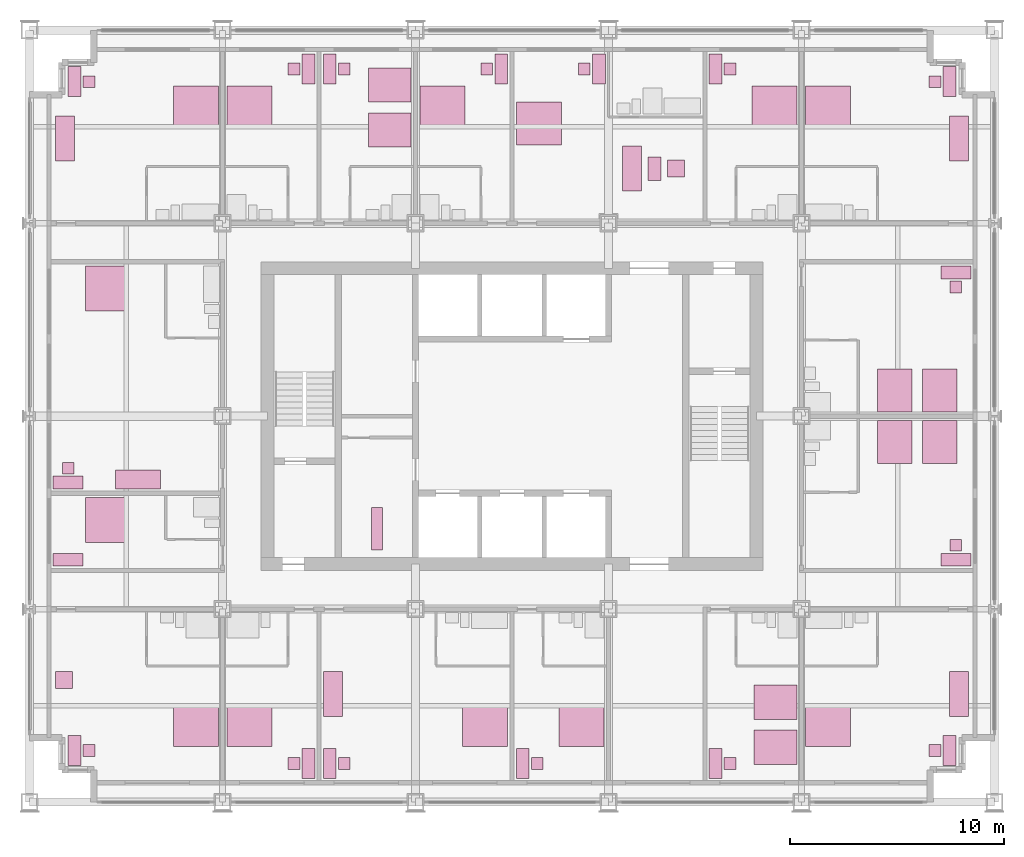
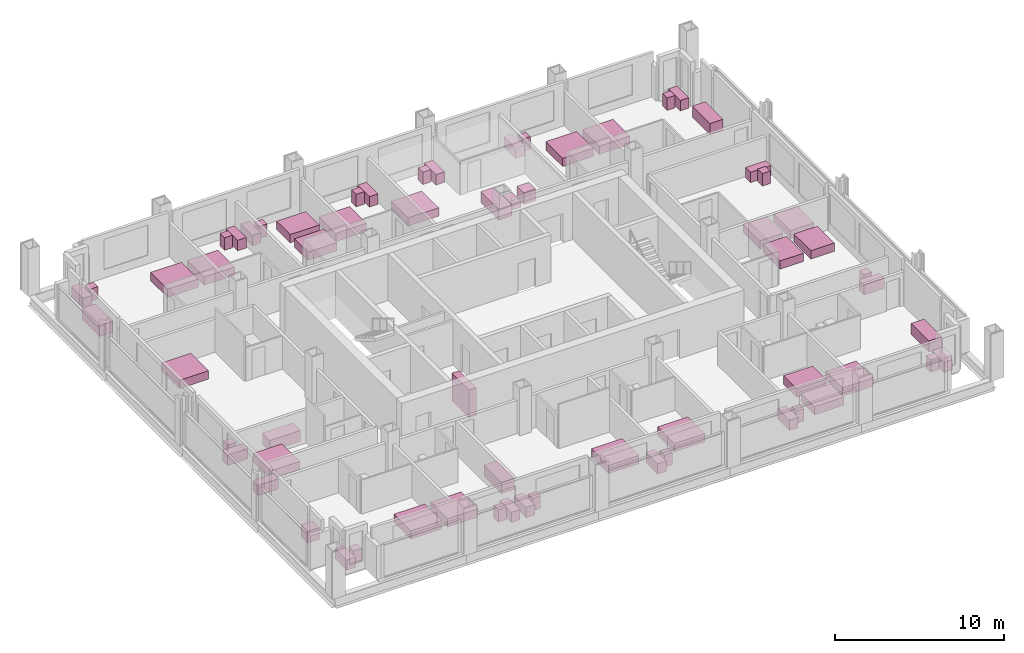
# One storey, part 16 of 16: 64 furniture elements.
"""IFC4 building model written with IfcOpenShell, lengths in metres."""

from ifc_helpers import new_model, si_unit, direction, frame, origin, origin_2d, place, context, subcontext, project, spatial, rectangle, extrude, element, save


model = new_model("IFC4")

# Units and contexts
model_context = context("Model", 3, precision=1e-05, world=origin(), true_north=direction((0.0, 1.0)))
body_context = subcontext(model_context, "Body", "Model", "MODEL_VIEW")
ifc_project = project(units=[si_unit("LENGTHUNIT", "METRE"), si_unit("AREAUNIT", "SQUARE_METRE"), si_unit("VOLUMEUNIT", "CUBIC_METRE"), si_unit("PLANEANGLEUNIT", "RADIAN"), si_unit("MASSUNIT", "GRAM", prefix="KILO")], contexts=[model_context])

# Site, building, storey
site_placement = place(None, origin())
site = spatial("IfcSite", under=ifc_project, at=site_placement, CompositionType="ELEMENT")
building_placement = place(site_placement, origin())
building = spatial("IfcBuilding", under=site, at=building_placement, Name="Loomwork Tower", CompositionType="ELEMENT")
storey_placement = place(building_placement, frame((0.0, 0.0, 104.39990234375)))
storey = spatial("IfcBuildingStorey", under=building, at=storey_placement, Name="L27", CompositionType="ELEMENT", Elevation=104.39990234375)

# Furniture
furniture_1_placement = place(storey_placement, frame((7.75, 3.60009765625, 0.0), z_axis=(0.0, 0.0, 1.0), x_axis=(1.0, 0.0, 0.0)))
element("IfcFurniture", 1, at=furniture_1_placement, inside=storey, Name="King bed L27", PredefinedType="BED", context=body_context, shape_type="SweptSolid", body=[
    extrude(rectangle(XDim=2.10009765625, YDim=2.0, at=origin_2d()), origin(), (0.0, 0.0, 1.0), 0.60009765625),
])
furniture_2_placement = place(storey_placement, frame((2.10009765625, 2.39990234375, 0.0), z_axis=(0.0, 0.0, 1.0), x_axis=(1.0, 0.0, 0.0)))
element("IfcFurniture", 2, at=furniture_2_placement, inside=storey, Name="Writing desk L27", PredefinedType="DESK", context=body_context, shape_type="SweptSolid", body=[
    extrude(rectangle(XDim=0.60009765625, YDim=1.39990234375, at=origin_2d()), origin(), (0.0, 0.0, 1.0), 0.75),
])
furniture_3_placement = place(storey_placement, frame((2.77490234375, 2.39990234375, 0.000244140625), z_axis=(0.0, 0.0, 1.0), x_axis=(1.0, 0.0, 0.0)))
element("IfcFurniture", 3, at=furniture_3_placement, inside=storey, Name="Desk chair L27", PredefinedType="CHAIR", context=body_context, shape_type="SweptSolid", body=[
    extrude(rectangle(XDim=0.550048828125, YDim=0.550048828125, at=origin_2d()), origin(), (0.0, 0.0, 1.0), 0.89990234375),
])
furniture_4_placement = place(storey_placement, frame((1.60009765625, 5.699951171875, 0.0), z_axis=(0.0, 0.0, 1.0), x_axis=(1.0, 0.0, 0.0)))
element("IfcFurniture", 4, at=furniture_4_placement, inside=storey, Name="Lounge armchair L27", PredefinedType="CHAIR", context=body_context, shape_type="SweptSolid", body=[
    extrude(rectangle(XDim=0.800048828125, YDim=0.800048828125, at=origin_2d()), origin(), (0.0, 0.0, 1.0), 0.85009765625),
])
furniture_5_placement = place(storey_placement, frame((10.25, 3.60009765625, 0.0), z_axis=(0.0, 0.0, 1.0), x_axis=(1.0, 0.0, 0.0)))
element("IfcFurniture", 5, at=furniture_5_placement, inside=storey, Name="King bed L27", PredefinedType="BED", context=body_context, shape_type="SweptSolid", body=[
    extrude(rectangle(XDim=2.10009765625, YDim=2.0, at=origin_2d()), origin(), (0.0, 0.0, 1.0), 0.60009765625),
])
furniture_6_placement = place(storey_placement, frame((13.0, 1.800048828125, 0.0), z_axis=(0.0, 0.0, 1.0), x_axis=(1.0, 0.0, 0.0)))
element("IfcFurniture", 6, at=furniture_6_placement, inside=storey, Name="Writing desk L27", PredefinedType="DESK", context=body_context, shape_type="SweptSolid", body=[
    extrude(rectangle(XDim=0.60009765625, YDim=1.39990234375, at=origin_2d()), origin(), (0.0, 0.0, 1.0), 0.75),
])
furniture_7_placement = place(storey_placement, frame((12.324951171875, 1.800048828125, 0.000244140625), z_axis=(0.0, 0.0, 1.0), x_axis=(1.0, 0.0, 0.0)))
element("IfcFurniture", 7, at=furniture_7_placement, inside=storey, Name="Desk chair L27", PredefinedType="CHAIR", context=body_context, shape_type="SweptSolid", body=[
    extrude(rectangle(XDim=0.550048828125, YDim=0.550048828125, at=origin_2d()), origin(), (0.0, 0.0, 1.0), 0.89990234375),
])
furniture_8_placement = place(storey_placement, frame((21.25, 3.60009765625, 0.0), z_axis=(0.0, 0.0, 1.0), x_axis=(1.0, 0.0, 0.0)))
element("IfcFurniture", 8, at=furniture_8_placement, inside=storey, Name="King bed L27", PredefinedType="BED", context=body_context, shape_type="SweptSolid", body=[
    extrude(rectangle(XDim=2.10009765625, YDim=2.0, at=origin_2d()), origin(), (0.0, 0.0, 1.0), 0.60009765625),
])
furniture_9_placement = place(storey_placement, frame((14.0, 1.800048828125, 0.0), z_axis=(0.0, 0.0, 1.0), x_axis=(1.0, 0.0, 0.0)))
element("IfcFurniture", 9, at=furniture_9_placement, inside=storey, Name="Writing desk L27", PredefinedType="DESK", context=body_context, shape_type="SweptSolid", body=[
    extrude(rectangle(XDim=0.60009765625, YDim=1.39990234375, at=origin_2d()), origin(), (0.0, 0.0, 1.0), 0.75),
])
furniture_10_placement = place(storey_placement, frame((14.675048828125, 1.800048828125, 0.000244140625), z_axis=(0.0, 0.0, 1.0), x_axis=(1.0, 0.0, 0.0)))
element("IfcFurniture", 10, at=furniture_10_placement, inside=storey, Name="Desk chair L27", PredefinedType="CHAIR", context=body_context, shape_type="SweptSolid", body=[
    extrude(rectangle(XDim=0.550048828125, YDim=0.550048828125, at=origin_2d()), origin(), (0.0, 0.0, 1.0), 0.89990234375),
])
furniture_11_placement = place(storey_placement, frame((14.14990234375, 5.050048828125, 0.0), z_axis=(0.0, 0.0, 1.0), x_axis=(1.0, 0.0, 0.0)))
element("IfcFurniture", 11, at=furniture_11_placement, inside=storey, Name="Sofa L27", PredefinedType="SOFA", context=body_context, shape_type="SweptSolid", body=[
    extrude(rectangle(XDim=0.89990234375, YDim=2.10009765625, at=origin_2d()), origin(), (0.0, 0.0, 1.0), 0.800048828125),
])
furniture_12_placement = place(storey_placement, frame((25.75, 3.60009765625, 0.0), z_axis=(0.0, 0.0, 1.0), x_axis=(1.0, 0.0, 0.0)))
element("IfcFurniture", 12, at=furniture_12_placement, inside=storey, Name="King bed L27", PredefinedType="BED", context=body_context, shape_type="SweptSolid", body=[
    extrude(rectangle(XDim=2.10009765625, YDim=2.0, at=origin_2d()), origin(), (0.0, 0.0, 1.0), 0.60009765625),
])
furniture_13_placement = place(storey_placement, frame((23.0, 1.800048828125, 0.0), z_axis=(0.0, 0.0, 1.0), x_axis=(1.0, 0.0, 0.0)))
element("IfcFurniture", 13, at=furniture_13_placement, inside=storey, Name="Writing desk L27", PredefinedType="DESK", context=body_context, shape_type="SweptSolid", body=[
    extrude(rectangle(XDim=0.60009765625, YDim=1.39990234375, at=origin_2d()), origin(), (0.0, 0.0, 1.0), 0.75),
])
furniture_14_placement = place(storey_placement, frame((23.675048828125, 1.800048828125, 0.000244140625), z_axis=(0.0, 0.0, 1.0), x_axis=(1.0, 0.0, 0.0)))
element("IfcFurniture", 14, at=furniture_14_placement, inside=storey, Name="Desk chair L27", PredefinedType="CHAIR", context=body_context, shape_type="SweptSolid", body=[
    extrude(rectangle(XDim=0.550048828125, YDim=0.550048828125, at=origin_2d()), origin(), (0.0, 0.0, 1.0), 0.89990234375),
])
for number, where, z_axis, x_axis, name in (
    (15, (34.800048828125, 4.64990234375, 0.0), (0.0, 0.0, 1.0), (1.0, 0.0, 0.0), "Queen bed L27"),
    (16, (34.800048828125, 2.550048828125, 0.0), (0.0, 0.0, 1.0), (1.0, 0.0, 0.0), "Queen bed L27"),
):
    element("IfcFurniture", number, at=place(storey_placement, frame(where, z_axis=z_axis, x_axis=x_axis)), inside=storey, Name=name, PredefinedType="BED", context=body_context, shape_type="SweptSolid", body=[
        extrude(rectangle(XDim=2.0, YDim=1.60009765625, at=origin_2d()), origin(), (0.0, 0.0, 1.0), 0.60009765625),
    ])
furniture_15_placement = place(storey_placement, frame((32.0, 1.800048828125, 0.0), z_axis=(0.0, 0.0, 1.0), x_axis=(1.0, 0.0, 0.0)))
element("IfcFurniture", 17, at=furniture_15_placement, inside=storey, Name="Writing desk L27", PredefinedType="DESK", context=body_context, shape_type="SweptSolid", body=[
    extrude(rectangle(XDim=0.60009765625, YDim=1.39990234375, at=origin_2d()), origin(), (0.0, 0.0, 1.0), 0.75),
])
furniture_16_placement = place(storey_placement, frame((32.675048828125, 1.800048828125, 0.000244140625), z_axis=(0.0, 0.0, 1.0), x_axis=(1.0, 0.0, 0.0)))
element("IfcFurniture", 18, at=furniture_16_placement, inside=storey, Name="Desk chair L27", PredefinedType="CHAIR", context=body_context, shape_type="SweptSolid", body=[
    extrude(rectangle(XDim=0.550048828125, YDim=0.550048828125, at=origin_2d()), origin(), (0.0, 0.0, 1.0), 0.89990234375),
])
furniture_17_placement = place(storey_placement, frame((37.25, 3.60009765625, 0.0), z_axis=(0.0, 0.0, 1.0), x_axis=(1.0, 0.0, 0.0)))
element("IfcFurniture", 19, at=furniture_17_placement, inside=storey, Name="King bed L27", PredefinedType="BED", context=body_context, shape_type="SweptSolid", body=[
    extrude(rectangle(XDim=2.10009765625, YDim=2.0, at=origin_2d()), origin(), (0.0, 0.0, 1.0), 0.60009765625),
])
furniture_18_placement = place(storey_placement, frame((42.89990234375, 2.39990234375, 0.0), z_axis=(0.0, 0.0, 1.0), x_axis=(1.0, 0.0, 0.0)))
element("IfcFurniture", 20, at=furniture_18_placement, inside=storey, Name="Writing desk L27", PredefinedType="DESK", context=body_context, shape_type="SweptSolid", body=[
    extrude(rectangle(XDim=0.60009765625, YDim=1.39990234375, at=origin_2d()), origin(), (0.0, 0.0, 1.0), 0.75),
])
furniture_19_placement = place(storey_placement, frame((42.22509765625, 2.39990234375, 0.000244140625), z_axis=(0.0, 0.0, 1.0), x_axis=(1.0, 0.0, 0.0)))
element("IfcFurniture", 21, at=furniture_19_placement, inside=storey, Name="Desk chair L27", PredefinedType="CHAIR", context=body_context, shape_type="SweptSolid", body=[
    extrude(rectangle(XDim=0.550048828125, YDim=0.550048828125, at=origin_2d()), origin(), (0.0, 0.0, 1.0), 0.89990234375),
])
furniture_20_placement = place(storey_placement, frame((43.35009765625, 5.050048828125, 0.0), z_axis=(0.0, 0.0, 1.0), x_axis=(1.0, 0.0, 0.0)))
element("IfcFurniture", 22, at=furniture_20_placement, inside=storey, Name="Sofa L27", PredefinedType="SOFA", context=body_context, shape_type="SweptSolid", body=[
    extrude(rectangle(XDim=0.89990234375, YDim=2.10009765625, at=origin_2d()), origin(), (0.0, 0.0, 1.0), 0.800048828125),
])
furniture_21_placement = place(storey_placement, frame((7.75, 32.39990234375, 0.0), z_axis=(0.0, 0.0, 1.0), x_axis=(1.0, 0.0, 0.0)))
element("IfcFurniture", 23, at=furniture_21_placement, inside=storey, Name="King bed L27", PredefinedType="BED", context=body_context, shape_type="SweptSolid", body=[
    extrude(rectangle(XDim=2.10009765625, YDim=2.0, at=origin_2d()), origin(), (0.0, 0.0, 1.0), 0.60009765625),
])
furniture_22_placement = place(storey_placement, frame((2.10009765625, 33.60009765625, 0.0), z_axis=(0.0, 0.0, 1.0), x_axis=(1.0, 0.0, 0.0)))
element("IfcFurniture", 24, at=furniture_22_placement, inside=storey, Name="Writing desk L27", PredefinedType="DESK", context=body_context, shape_type="SweptSolid", body=[
    extrude(rectangle(XDim=0.60009765625, YDim=1.39990234375, at=origin_2d()), origin(), (0.0, 0.0, 1.0), 0.75),
])
furniture_23_placement = place(storey_placement, frame((2.77490234375, 33.60009765625, 0.000244140625), z_axis=(0.0, 0.0, 1.0), x_axis=(1.0, 0.0, 0.0)))
element("IfcFurniture", 25, at=furniture_23_placement, inside=storey, Name="Desk chair L27", PredefinedType="CHAIR", context=body_context, shape_type="SweptSolid", body=[
    extrude(rectangle(XDim=0.550048828125, YDim=0.550048828125, at=origin_2d()), origin(), (0.0, 0.0, 1.0), 0.89990234375),
])
furniture_24_placement = place(storey_placement, frame((1.64990234375, 30.949951171875, 0.0), z_axis=(0.0, 0.0, 1.0), x_axis=(1.0, 0.0, 0.0)))
element("IfcFurniture", 26, at=furniture_24_placement, inside=storey, Name="Sofa L27", PredefinedType="SOFA", context=body_context, shape_type="SweptSolid", body=[
    extrude(rectangle(XDim=0.89990234375, YDim=2.10009765625, at=origin_2d()), origin(), (0.0, 0.0, 1.0), 0.800048828125),
])
furniture_25_placement = place(storey_placement, frame((10.25, 32.39990234375, 0.0), z_axis=(0.0, 0.0, 1.0), x_axis=(1.0, 0.0, 0.0)))
element("IfcFurniture", 27, at=furniture_25_placement, inside=storey, Name="King bed L27", PredefinedType="BED", context=body_context, shape_type="SweptSolid", body=[
    extrude(rectangle(XDim=2.10009765625, YDim=2.0, at=origin_2d()), origin(), (0.0, 0.0, 1.0), 0.60009765625),
])
furniture_26_placement = place(storey_placement, frame((13.0, 34.199951171875, 0.0), z_axis=(0.0, 0.0, 1.0), x_axis=(1.0, 0.0, 0.0)))
element("IfcFurniture", 28, at=furniture_26_placement, inside=storey, Name="Writing desk L27", PredefinedType="DESK", context=body_context, shape_type="SweptSolid", body=[
    extrude(rectangle(XDim=0.60009765625, YDim=1.39990234375, at=origin_2d()), origin(), (0.0, 0.0, 1.0), 0.75),
])
furniture_27_placement = place(storey_placement, frame((12.324951171875, 34.199951171875, 0.000244140625), z_axis=(0.0, 0.0, 1.0), x_axis=(1.0, 0.0, 0.0)))
element("IfcFurniture", 29, at=furniture_27_placement, inside=storey, Name="Desk chair L27", PredefinedType="CHAIR", context=body_context, shape_type="SweptSolid", body=[
    extrude(rectangle(XDim=0.550048828125, YDim=0.550048828125, at=origin_2d()), origin(), (0.0, 0.0, 1.0), 0.89990234375),
])
for number, where, z_axis, x_axis, name in (
    (30, (16.800048828125, 31.35009765625, 0.0), (0.0, 0.0, 1.0), (1.0, 0.0, 0.0), "Queen bed L27"),
    (31, (16.800048828125, 33.449951171875, 0.0), (0.0, 0.0, 1.0), (1.0, 0.0, 0.0), "Queen bed L27"),
):
    element("IfcFurniture", number, at=place(storey_placement, frame(where, z_axis=z_axis, x_axis=x_axis)), inside=storey, Name=name, PredefinedType="BED", context=body_context, shape_type="SweptSolid", body=[
        extrude(rectangle(XDim=2.0, YDim=1.60009765625, at=origin_2d()), origin(), (0.0, 0.0, 1.0), 0.60009765625),
    ])
furniture_28_placement = place(storey_placement, frame((14.0, 34.199951171875, 0.0), z_axis=(0.0, 0.0, 1.0), x_axis=(1.0, 0.0, 0.0)))
element("IfcFurniture", 32, at=furniture_28_placement, inside=storey, Name="Writing desk L27", PredefinedType="DESK", context=body_context, shape_type="SweptSolid", body=[
    extrude(rectangle(XDim=0.60009765625, YDim=1.39990234375, at=origin_2d()), origin(), (0.0, 0.0, 1.0), 0.75),
])
furniture_29_placement = place(storey_placement, frame((14.675048828125, 34.199951171875, 0.000244140625), z_axis=(0.0, 0.0, 1.0), x_axis=(1.0, 0.0, 0.0)))
element("IfcFurniture", 33, at=furniture_29_placement, inside=storey, Name="Desk chair L27", PredefinedType="CHAIR", context=body_context, shape_type="SweptSolid", body=[
    extrude(rectangle(XDim=0.550048828125, YDim=0.550048828125, at=origin_2d()), origin(), (0.0, 0.0, 1.0), 0.89990234375),
])
furniture_30_placement = place(storey_placement, frame((19.25, 32.39990234375, 0.0), z_axis=(0.0, 0.0, 1.0), x_axis=(1.0, 0.0, 0.0)))
element("IfcFurniture", 34, at=furniture_30_placement, inside=storey, Name="King bed L27", PredefinedType="BED", context=body_context, shape_type="SweptSolid", body=[
    extrude(rectangle(XDim=2.10009765625, YDim=2.0, at=origin_2d()), origin(), (0.0, 0.0, 1.0), 0.60009765625),
])
furniture_31_placement = place(storey_placement, frame((22.0, 34.199951171875, 0.0), z_axis=(0.0, 0.0, 1.0), x_axis=(1.0, 0.0, 0.0)))
element("IfcFurniture", 35, at=furniture_31_placement, inside=storey, Name="Writing desk L27", PredefinedType="DESK", context=body_context, shape_type="SweptSolid", body=[
    extrude(rectangle(XDim=0.60009765625, YDim=1.39990234375, at=origin_2d()), origin(), (0.0, 0.0, 1.0), 0.75),
])
furniture_32_placement = place(storey_placement, frame((21.324951171875, 34.199951171875, 0.000244140625), z_axis=(0.0, 0.0, 1.0), x_axis=(1.0, 0.0, 0.0)))
element("IfcFurniture", 36, at=furniture_32_placement, inside=storey, Name="Desk chair L27", PredefinedType="CHAIR", context=body_context, shape_type="SweptSolid", body=[
    extrude(rectangle(XDim=0.550048828125, YDim=0.550048828125, at=origin_2d()), origin(), (0.0, 0.0, 1.0), 0.89990234375),
])
furniture_33_placement = place(storey_placement, frame((23.75, 31.64990234375, 0.0), z_axis=(0.0, 0.0, 1.0), x_axis=(1.0, 0.0, 0.0)))
element("IfcFurniture", 37, at=furniture_33_placement, inside=storey, Name="King bed L27", PredefinedType="BED", context=body_context, shape_type="SweptSolid", body=[
    extrude(rectangle(XDim=2.10009765625, YDim=2.0, at=origin_2d()), origin(), (0.0, 0.0, 1.0), 0.60009765625),
])
furniture_34_placement = place(storey_placement, frame((26.550048828125, 34.199951171875, 0.0), z_axis=(0.0, 0.0, 1.0), x_axis=(1.0, 0.0, 0.0)))
element("IfcFurniture", 38, at=furniture_34_placement, inside=storey, Name="Writing desk L27", PredefinedType="DESK", context=body_context, shape_type="SweptSolid", body=[
    extrude(rectangle(XDim=0.60009765625, YDim=1.39990234375, at=origin_2d()), origin(), (0.0, 0.0, 1.0), 0.75),
])
furniture_35_placement = place(storey_placement, frame((25.875, 34.199951171875, 0.000244140625), z_axis=(0.0, 0.0, 1.0), x_axis=(1.0, 0.0, 0.0)))
element("IfcFurniture", 39, at=furniture_35_placement, inside=storey, Name="Desk chair L27", PredefinedType="CHAIR", context=body_context, shape_type="SweptSolid", body=[
    extrude(rectangle(XDim=0.550048828125, YDim=0.550048828125, at=origin_2d()), origin(), (0.0, 0.0, 1.0), 0.89990234375),
])
furniture_36_placement = place(storey_placement, frame((28.10009765625, 29.550048828125, 0.0), z_axis=(0.0, 0.0, 1.0), x_axis=(1.0, 0.0, 0.0)))
element("IfcFurniture", 40, at=furniture_36_placement, inside=storey, Name="Sofa L27", PredefinedType="SOFA", context=body_context, shape_type="SweptSolid", body=[
    extrude(rectangle(XDim=0.89990234375, YDim=2.10009765625, at=origin_2d()), origin(), (0.0, 0.0, 1.0), 0.800048828125),
])
furniture_37_placement = place(storey_placement, frame((29.14990234375, 29.550048828125, 0.0), z_axis=(0.0, 0.0, 1.0), x_axis=(1.0, 0.0, 0.0)))
element("IfcFurniture", 41, at=furniture_37_placement, inside=storey, Name="Coffee table L27", PredefinedType="TABLE", context=body_context, shape_type="SweptSolid", body=[
    extrude(rectangle(XDim=0.60009765625, YDim=1.10009765625, at=origin_2d()), origin(), (0.0, 0.0, 1.0), 0.449951171875),
])
furniture_38_placement = place(storey_placement, frame((30.14990234375, 29.550048828125, 0.0), z_axis=(0.0, 0.0, 1.0), x_axis=(1.0, 0.0, 0.0)))
element("IfcFurniture", 42, at=furniture_38_placement, inside=storey, Name="Lounge armchair L27", PredefinedType="CHAIR", context=body_context, shape_type="SweptSolid", body=[
    extrude(rectangle(XDim=0.800048828125, YDim=0.800048828125, at=origin_2d()), origin(), (0.0, 0.0, 1.0), 0.85009765625),
])
furniture_39_placement = place(storey_placement, frame((34.75, 32.39990234375, 0.0), z_axis=(0.0, 0.0, 1.0), x_axis=(1.0, 0.0, 0.0)))
element("IfcFurniture", 43, at=furniture_39_placement, inside=storey, Name="King bed L27", PredefinedType="BED", context=body_context, shape_type="SweptSolid", body=[
    extrude(rectangle(XDim=2.10009765625, YDim=2.0, at=origin_2d()), origin(), (0.0, 0.0, 1.0), 0.60009765625),
])
furniture_40_placement = place(storey_placement, frame((32.0, 34.199951171875, 0.0), z_axis=(0.0, 0.0, 1.0), x_axis=(1.0, 0.0, 0.0)))
element("IfcFurniture", 44, at=furniture_40_placement, inside=storey, Name="Writing desk L27", PredefinedType="DESK", context=body_context, shape_type="SweptSolid", body=[
    extrude(rectangle(XDim=0.60009765625, YDim=1.39990234375, at=origin_2d()), origin(), (0.0, 0.0, 1.0), 0.75),
])
furniture_41_placement = place(storey_placement, frame((32.675048828125, 34.199951171875, 0.000244140625), z_axis=(0.0, 0.0, 1.0), x_axis=(1.0, 0.0, 0.0)))
element("IfcFurniture", 45, at=furniture_41_placement, inside=storey, Name="Desk chair L27", PredefinedType="CHAIR", context=body_context, shape_type="SweptSolid", body=[
    extrude(rectangle(XDim=0.550048828125, YDim=0.550048828125, at=origin_2d()), origin(), (0.0, 0.0, 1.0), 0.89990234375),
])
furniture_42_placement = place(storey_placement, frame((37.25, 32.39990234375, 0.0), z_axis=(0.0, 0.0, 1.0), x_axis=(1.0, 0.0, 0.0)))
element("IfcFurniture", 46, at=furniture_42_placement, inside=storey, Name="King bed L27", PredefinedType="BED", context=body_context, shape_type="SweptSolid", body=[
    extrude(rectangle(XDim=2.10009765625, YDim=2.0, at=origin_2d()), origin(), (0.0, 0.0, 1.0), 0.60009765625),
])
furniture_43_placement = place(storey_placement, frame((42.89990234375, 33.60009765625, 0.0), z_axis=(0.0, 0.0, 1.0), x_axis=(1.0, 0.0, 0.0)))
element("IfcFurniture", 47, at=furniture_43_placement, inside=storey, Name="Writing desk L27", PredefinedType="DESK", context=body_context, shape_type="SweptSolid", body=[
    extrude(rectangle(XDim=0.60009765625, YDim=1.39990234375, at=origin_2d()), origin(), (0.0, 0.0, 1.0), 0.75),
])
furniture_44_placement = place(storey_placement, frame((42.22509765625, 33.60009765625, 0.000244140625), z_axis=(0.0, 0.0, 1.0), x_axis=(1.0, 0.0, 0.0)))
element("IfcFurniture", 48, at=furniture_44_placement, inside=storey, Name="Desk chair L27", PredefinedType="CHAIR", context=body_context, shape_type="SweptSolid", body=[
    extrude(rectangle(XDim=0.550048828125, YDim=0.550048828125, at=origin_2d()), origin(), (0.0, 0.0, 1.0), 0.89990234375),
])
furniture_45_placement = place(storey_placement, frame((43.35009765625, 30.949951171875, 0.0), z_axis=(0.0, 0.0, 1.0), x_axis=(1.0, 0.0, 0.0)))
element("IfcFurniture", 49, at=furniture_45_placement, inside=storey, Name="Sofa L27", PredefinedType="SOFA", context=body_context, shape_type="SweptSolid", body=[
    extrude(rectangle(XDim=0.89990234375, YDim=2.10009765625, at=origin_2d()), origin(), (0.0, 0.0, 1.0), 0.800048828125),
])
furniture_46_placement = place(storey_placement, frame((3.60009765625, 13.14990234375, 0.0), z_axis=(0.0, 0.0, 1.0), x_axis=(1.0, 0.0, 0.0)))
element("IfcFurniture", 50, at=furniture_46_placement, inside=storey, Name="King bed L27", PredefinedType="BED", context=body_context, shape_type="SweptSolid", body=[
    extrude(rectangle(XDim=2.0, YDim=2.10009765625, at=origin_2d()), origin(), (0.0, 0.0, 1.0), 0.60009765625),
])
furniture_47_placement = place(storey_placement, frame((1.800048828125, 11.300048828125, 0.0), z_axis=(0.0, 0.0, 1.0), x_axis=(1.0, 0.0, 0.0)))
element("IfcFurniture", 51, at=furniture_47_placement, inside=storey, Name="Writing desk L27", PredefinedType="DESK", context=body_context, shape_type="SweptSolid", body=[
    extrude(rectangle(XDim=1.39990234375, YDim=0.60009765625, at=origin_2d()), origin(), (0.0, 0.0, 1.0), 0.75),
])
furniture_48_placement = place(storey_placement, frame((3.60009765625, 23.949951171875, 0.0), z_axis=(0.0, 0.0, 1.0), x_axis=(1.0, 0.0, 0.0)))
element("IfcFurniture", 52, at=furniture_48_placement, inside=storey, Name="King bed L27", PredefinedType="BED", context=body_context, shape_type="SweptSolid", body=[
    extrude(rectangle(XDim=2.0, YDim=2.10009765625, at=origin_2d()), origin(), (0.0, 0.0, 1.0), 0.60009765625),
])
furniture_49_placement = place(storey_placement, frame((1.800048828125, 14.89990234375, 0.0), z_axis=(0.0, 0.0, 1.0), x_axis=(1.0, 0.0, 0.0)))
element("IfcFurniture", 53, at=furniture_49_placement, inside=storey, Name="Writing desk L27", PredefinedType="DESK", context=body_context, shape_type="SweptSolid", body=[
    extrude(rectangle(XDim=1.39990234375, YDim=0.60009765625, at=origin_2d()), origin(), (0.0, 0.0, 1.0), 0.75),
])
furniture_50_placement = place(storey_placement, frame((1.800048828125, 15.574951171875, 0.000244140625), z_axis=(0.0, 0.0, 1.0), x_axis=(1.0, 0.0, 0.0)))
element("IfcFurniture", 54, at=furniture_50_placement, inside=storey, Name="Desk chair L27", PredefinedType="CHAIR", context=body_context, shape_type="SweptSolid", body=[
    extrude(rectangle(XDim=0.550048828125, YDim=0.550048828125, at=origin_2d()), origin(), (0.0, 0.0, 1.0), 0.89990234375),
])
furniture_51_placement = place(storey_placement, frame((5.050048828125, 15.050048828125, 0.0), z_axis=(0.0, 0.0, 1.0), x_axis=(1.0, 0.0, 0.0)))
element("IfcFurniture", 55, at=furniture_51_placement, inside=storey, Name="Sofa L27", PredefinedType="SOFA", context=body_context, shape_type="SweptSolid", body=[
    extrude(rectangle(XDim=2.10009765625, YDim=0.89990234375, at=origin_2d()), origin(), (0.0, 0.0, 1.0), 0.800048828125),
])
for number, where, z_axis, x_axis, name in (
    (56, (40.35009765625, 16.800048828125, 0.0), (0.0, 0.0, 1.0), (1.0, 0.0, 0.0), "Queen bed L27"),
    (57, (42.449951171875, 16.800048828125, 0.0), (0.0, 0.0, 1.0), (1.0, 0.0, 0.0), "Queen bed L27"),
):
    element("IfcFurniture", number, at=place(storey_placement, frame(where, z_axis=z_axis, x_axis=x_axis)), inside=storey, Name=name, PredefinedType="BED", context=body_context, shape_type="SweptSolid", body=[
        extrude(rectangle(XDim=1.60009765625, YDim=2.0, at=origin_2d()), origin(), (0.0, 0.0, 1.0), 0.60009765625),
    ])
furniture_52_placement = place(storey_placement, frame((43.199951171875, 11.300048828125, 0.0), z_axis=(0.0, 0.0, 1.0), x_axis=(1.0, 0.0, 0.0)))
element("IfcFurniture", 58, at=furniture_52_placement, inside=storey, Name="Writing desk L27", PredefinedType="DESK", context=body_context, shape_type="SweptSolid", body=[
    extrude(rectangle(XDim=1.39990234375, YDim=0.60009765625, at=origin_2d()), origin(), (0.0, 0.0, 1.0), 0.75),
])
furniture_53_placement = place(storey_placement, frame((43.199951171875, 11.97509765625, 0.000244140625), z_axis=(0.0, 0.0, 1.0), x_axis=(1.0, 0.0, 0.0)))
element("IfcFurniture", 59, at=furniture_53_placement, inside=storey, Name="Desk chair L27", PredefinedType="CHAIR", context=body_context, shape_type="SweptSolid", body=[
    extrude(rectangle(XDim=0.550048828125, YDim=0.550048828125, at=origin_2d()), origin(), (0.0, 0.0, 1.0), 0.89990234375),
])
for number, where, z_axis, x_axis, name in (
    (60, (40.35009765625, 19.199951171875, 0.0), (0.0, 0.0, 1.0), (1.0, 0.0, 0.0), "Queen bed L27"),
    (61, (42.449951171875, 19.199951171875, 0.0), (0.0, 0.0, 1.0), (1.0, 0.0, 0.0), "Queen bed L27"),
):
    element("IfcFurniture", number, at=place(storey_placement, frame(where, z_axis=z_axis, x_axis=x_axis)), inside=storey, Name=name, PredefinedType="BED", context=body_context, shape_type="SweptSolid", body=[
        extrude(rectangle(XDim=1.60009765625, YDim=2.0, at=origin_2d()), origin(), (0.0, 0.0, 1.0), 0.60009765625),
    ])
furniture_54_placement = place(storey_placement, frame((43.199951171875, 24.699951171875, 0.0), z_axis=(0.0, 0.0, 1.0), x_axis=(1.0, 0.0, 0.0)))
element("IfcFurniture", 62, at=furniture_54_placement, inside=storey, Name="Writing desk L27", PredefinedType="DESK", context=body_context, shape_type="SweptSolid", body=[
    extrude(rectangle(XDim=1.39990234375, YDim=0.60009765625, at=origin_2d()), origin(), (0.0, 0.0, 1.0), 0.75),
])
furniture_55_placement = place(storey_placement, frame((43.199951171875, 24.02490234375, 0.000244140625), z_axis=(0.0, 0.0, 1.0), x_axis=(1.0, 0.0, 0.0)))
element("IfcFurniture", 63, at=furniture_55_placement, inside=storey, Name="Desk chair L27", PredefinedType="CHAIR", context=body_context, shape_type="SweptSolid", body=[
    extrude(rectangle(XDim=0.550048828125, YDim=0.550048828125, at=origin_2d()), origin(), (0.0, 0.0, 1.0), 0.89990234375),
])
furniture_56_placement = place(storey_placement, frame((16.199951171875, 12.75, 0.0), z_axis=(0.0, 0.0, 1.0), x_axis=(1.0, 0.0, 0.0)))
element("IfcFurniture", 64, at=furniture_56_placement, inside=storey, Name="Linen shelving L27", PredefinedType="SHELF", context=body_context, shape_type="SweptSolid", body=[
    extrude(rectangle(XDim=0.5, YDim=2.0, at=origin_2d()), origin(), (0.0, 0.0, 1.0), 2.0),
])

save(model, "model.ifc")
